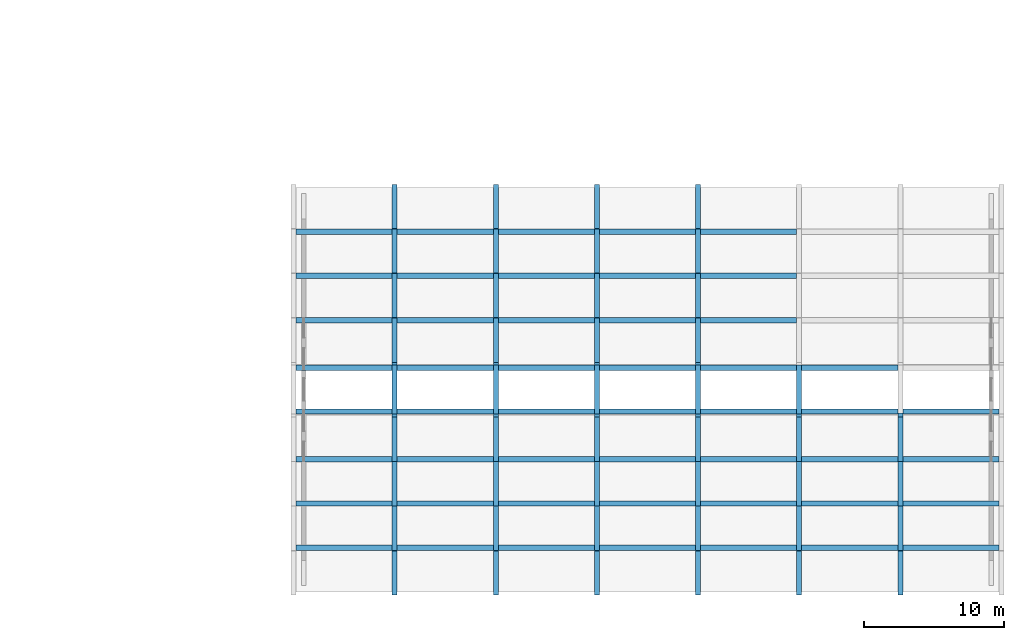
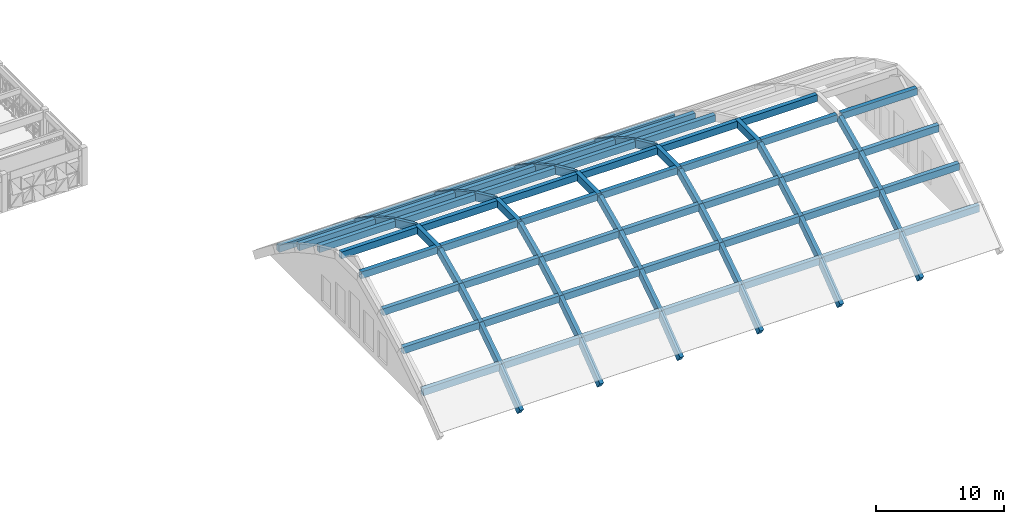
# One storey, part 12 of 48: 94 beams.
"""IFC4 building model written with IfcOpenShell, lengths in metres."""

import ifcopenshell
import ifcopenshell.guid

model = None  # the IFC model being written
_history = None  # IfcOwnerHistory: only IFC2X3 demands one
_inside = {}  # id of a spatial element -> (the spatial element, [elements in it])
_under = {}  # id of a project, library or spatial element -> (it, [spatial elements below it])
_declared = {}  # id of a project -> (the project, [libraries it declares])
_typed = {}  # id of a type object -> (the type object, [elements of that type])
_made_of = {}  # id of a material, layer set ... -> (it, [elements and type objects made of it])


def new_model(schema):
    """Start an empty IFC model of exactly this schema.

    Asked for "IFC4X3", IfcOpenShell would pick the latest addendum, in which some entities
    have other attributes; the version numbers below select the first issue.
    IFC2X3 requires an IfcOwnerHistory on every rooted entity: one is made here for all.
    """
    global model, _history
    if schema == "IFC4X3":
        model = ifcopenshell.file(schema_version=(4, 3, 0, 0))
    else:
        model = ifcopenshell.file(schema=schema)
    _inside.clear()
    _under.clear()
    _declared.clear()
    _typed.clear()
    _made_of.clear()
    _history = None
    if model.schema == "IFC2X3":
        org = make("IfcOrganization", Name="unknown")
        user = make(
            "IfcPersonAndOrganization",
            ThePerson=make("IfcPerson", FamilyName="unknown"),
            TheOrganization=org,
        )
        app = make(
            "IfcApplication",
            ApplicationDeveloper=org,
            Version="unknown",
            ApplicationFullName="unknown",
            ApplicationIdentifier="unknown",
        )
        _history = make(
            "IfcOwnerHistory",
            OwningUser=user,
            OwningApplication=app,
            ChangeAction="ADDED",
            CreationDate=0,
        )
    return model


def make(cls, **values):
    """One entity of the class cls with the attributes given. An attribute that is None is left unset."""
    return model.create_entity(
        cls, **{name: value for name, value in values.items() if value is not None}
    )


def rooted(cls, **values):
    """An entity with a GlobalId (a new one), such as an element, a storey or a relation."""
    return make(cls, GlobalId=ifcopenshell.guid.new(), OwnerHistory=_history, **values)


def si_unit(unit_type, name, prefix=None):
    """IfcSIUnit, for example si_unit("LENGTHUNIT", "METRE", prefix="MILLI")."""
    return make("IfcSIUnit", UnitType=unit_type, Prefix=prefix, Name=name)


def assignment(units):
    """IfcUnitAssignment: the units of a project."""
    return None if units is None else make("IfcUnitAssignment", Units=units)


def point(xyz):
    """IfcCartesianPoint."""
    return None if xyz is None else make("IfcCartesianPoint", Coordinates=xyz)


def direction(xyz):
    """IfcDirection."""
    return None if xyz is None else make("IfcDirection", DirectionRatios=xyz)


def frame(location, z_axis=None, x_axis=None):
    """IfcAxis2Placement3D, a coordinate frame: its origin and axes. An axis left out is left unset."""
    return make(
        "IfcAxis2Placement3D",
        Location=point(location),
        Axis=direction(z_axis),
        RefDirection=direction(x_axis),
    )


def frame_2d(location, x_axis=None):
    """IfcAxis2Placement2D, a coordinate frame in the plane: its origin and x axis."""
    return make(
        "IfcAxis2Placement2D", Location=point(location), RefDirection=direction(x_axis)
    )


def origin():
    """The frame at (0, 0, 0) with its axes left unset."""
    return frame((0.0, 0.0, 0.0))


def origin_2d():
    """The frame at (0, 0) in the plane with its x axis left unset."""
    return frame_2d((0.0, 0.0))


def place(relative_to, where):
    """IfcLocalPlacement: puts the frame where relative to a parent placement (None: the world)."""
    return make(
        "IfcLocalPlacement", PlacementRelTo=relative_to, RelativePlacement=where
    )


def context(
    kind, dimensions, precision=None, world=None, true_north=None, identifier=None
):
    """IfcGeometricRepresentationContext, for example the 3D "Model" context."""
    return make(
        "IfcGeometricRepresentationContext",
        ContextIdentifier=identifier,
        ContextType=kind,
        CoordinateSpaceDimension=dimensions,
        Precision=precision,
        WorldCoordinateSystem=world,
        TrueNorth=true_north,
    )


def subcontext(parent, identifier, kind, view, scale=None):
    """IfcGeometricRepresentationSubContext, for example "Body" below "Model"."""
    return make(
        "IfcGeometricRepresentationSubContext",
        ContextIdentifier=identifier,
        ContextType=kind,
        ParentContext=parent,
        TargetScale=scale,
        TargetView=view,
    )


def project(units=None, contexts=None):
    """IfcProject with its units and contexts."""
    return rooted(
        "IfcProject",
        Name="project",
        RepresentationContexts=contexts,
        UnitsInContext=assignment(units),
    )


def spatial(cls, under=None, at=None, **own):
    """A site, building, storey or space (cls), placed at a placement, below another one or the project."""
    s = rooted(cls, ObjectPlacement=at, **own)
    if under is not None:
        _under.setdefault(under.id(), (under, []))[1].append(s)
    return s


def profile(cls, at=None, kind="AREA", **sizes):
    """A parametric profile (cls). Its sizes go by their IFC names, for example OverallWidth=200.0."""
    return make(cls, ProfileType=kind, Position=at, **sizes)


def rectangle(**sizes):
    """IfcRectangleProfileDef."""
    return profile("IfcRectangleProfileDef", **sizes)


def extrude(swept, where, along, depth):
    """IfcExtrudedAreaSolid: the profile swept, set in the frame where, extruded along a direction by depth."""
    return make(
        "IfcExtrudedAreaSolid",
        SweptArea=swept,
        Position=where,
        ExtrudedDirection=direction(along),
        Depth=depth,
    )


def shape(context_of_items, identifier, shape_type, items):
    """IfcShapeRepresentation: the items that make up one representation, for example the "Body"."""
    return make(
        "IfcShapeRepresentation",
        ContextOfItems=context_of_items,
        RepresentationIdentifier=identifier,
        RepresentationType=shape_type,
        Items=items,
    )


def material(Name=None, Category=None):
    """IfcMaterial."""
    return make("IfcMaterial", Name=Name, Category=Category)


def material_profile(
    of_material, cross_section, Name=None, Category=None, Priority=None
):
    """IfcMaterialProfile: a cross section and its material."""
    return make(
        "IfcMaterialProfile",
        Name=Name,
        Material=of_material,
        Profile=cross_section,
        Priority=Priority,
        Category=Category,
    )


def profile_set(profiles, Name=None, composite=None):
    """IfcMaterialProfileSet."""
    return make(
        "IfcMaterialProfileSet",
        Name=Name,
        MaterialProfiles=profiles,
        CompositeProfile=composite,
    )


def made_of(thing, what):
    """Note that an element or type object is made of a material, layer set ...; save() writes the relation."""
    if what is not None:
        _made_of.setdefault(what.id(), (what, []))[1].append(thing)
    return thing


def type_object(cls, material=None, **own):
    """A type object (cls), such as IfcWallType, which elements share."""
    return made_of(rooted(cls, **own), material)


def element(
    cls,
    number,
    at=None,
    inside=None,
    cuts=None,
    type_object=None,
    material=None,
    context=None,
    identifier="Body",
    shape_type=None,
    held_by="IfcProductDefinitionShape",
    body=None,
    shapes=None,
    **own,
):
    """One element of the class cls, such as IfcWall. Its Tag is "e" and its number.

    at: its placement. inside: the storey or other place that contains it. cuts: it is an
    opening in that element (IfcRelVoidsElement). A single representation is given by context,
    identifier, shape_type and body (its items); several are given by shapes. held_by: the class
    of the entity that holds the representations. save() writes the other relations.
    """
    e = rooted(cls, Tag="e%d" % number, ObjectPlacement=at, **own)
    if body is not None:
        shapes = [shape(context, identifier, shape_type, body)]
    if shapes is not None:
        e.Representation = make(held_by, Representations=shapes)
    if inside is not None:
        _inside.setdefault(inside.id(), (inside, []))[1].append(e)
    if cuts is not None:
        rooted(
            "IfcRelVoidsElement", RelatingBuildingElement=cuts, RelatedOpeningElement=e
        )
    if type_object is not None:
        _typed.setdefault(type_object.id(), (type_object, []))[1].append(e)
    return made_of(e, material)


def aggregate(whole, parts):
    """IfcRelAggregates: a whole, such as a stair, and the parts it consists of."""
    return rooted("IfcRelAggregates", RelatingObject=whole, RelatedObjects=parts)


def save(model, path):
    """Write the relations noted so far, then the file.

    IfcRelAggregates (storeys below a building ...), IfcRelContainedInSpatialStructure (elements
    in a storey), IfcRelDefinesByType, IfcRelAssociatesMaterial and IfcRelDeclares: one each for
    every whole, place, type object, material and project.
    """
    for whole, parts in _under.values():
        aggregate(whole, parts)
    for where, things in _inside.values():
        rooted(
            "IfcRelContainedInSpatialStructure",
            RelatedElements=things,
            RelatingStructure=where,
        )
    for kind, things in _typed.values():
        rooted("IfcRelDefinesByType", RelatedObjects=things, RelatingType=kind)
    for what, things in _made_of.values():
        rooted("IfcRelAssociatesMaterial", RelatedObjects=things, RelatingMaterial=what)
    for by, libraries in _declared.values():
        rooted("IfcRelDeclares", RelatingContext=by, RelatedDefinitions=libraries)
    model.write(path)


model = new_model("IFC4")

# Units and contexts
model_context = context("Model", 3, precision=1e-05, world=origin(), true_north=direction((0.0, 1.0)))
body_context = subcontext(model_context, "Body", "Model", "MODEL_VIEW")
ifc_project = project(units=[si_unit("LENGTHUNIT", "METRE"), si_unit("AREAUNIT", "SQUARE_METRE"), si_unit("VOLUMEUNIT", "CUBIC_METRE"), si_unit("PLANEANGLEUNIT", "RADIAN"), si_unit("MASSUNIT", "GRAM", prefix="KILO")], contexts=[model_context])

# Site, building, storey
site_placement = place(None, origin())
site = spatial("IfcSite", under=ifc_project, at=site_placement, CompositionType="ELEMENT")
building_placement = place(site_placement, origin())
building = spatial("IfcBuilding", under=site, at=building_placement, Name="Alvorim Cloister Faculty of Sciences", CompositionType="ELEMENT")
storey_placement = place(building_placement, frame((0.0, 0.0, 19.35009765625)))
storey = spatial("IfcBuildingStorey", under=building, at=storey_placement, Name="L05", CompositionType="ELEMENT", Elevation=19.35009765625)

# Beams
ifc_material = material(Name="Concrete C40", Category="concrete")
ifc_material_profile_1 = material_profile(ifc_material, rectangle(XDim=0.360107421875, YDim=0.719970703125, at=origin_2d()), Name="RC40-ARCH-360x720")
ifc_profile_set_1 = profile_set([ifc_material_profile_1], Name="Concrete C40")
beam_type_1 = type_object("IfcBeamType", Name="BM-ARCH-360x720", PredefinedType="BEAM", material=ifc_profile_set_1)
beam_1_placement = place(storey_placement, frame((72.0, 0.0, -0.494384765625), z_axis=(0.0, 0.789348923038, 0.613944849069), x_axis=(-1.0, 0.0, 0.0)))
element("IfcBeam", 1, at=beam_1_placement, inside=storey, type_object=beam_type_1, Name="SH-V3 Pointed Arch Rib Chord BM-2393", PredefinedType="BEAM", context=body_context, shape_type="SweptSolid", body=[
    extrude(rectangle(XDim=0.360107421875, YDim=0.719970703125, at=origin_2d()), origin(), (0.0, 0.0, 1.0), 3.990478515625),
])
beam_2_placement = place(storey_placement, frame((72.0, 3.14990234375, 1.95556640625), z_axis=(0.0, 0.836362754786, 0.548176378921), x_axis=(-1.0, 0.0, 0.0)))
element("IfcBeam", 2, at=beam_2_placement, inside=storey, type_object=beam_type_1, Name="SH-V3 Pointed Arch Rib Chord BM-2394", PredefinedType="BEAM", context=body_context, shape_type="SweptSolid", body=[
    extrude(rectangle(XDim=0.360107421875, YDim=0.719970703125, at=origin_2d()), origin(), (0.0, 0.0, 1.0), 3.7666015625),
])
beam_3_placement = place(storey_placement, frame((72.0, 6.300048828125, 4.020263671875), z_axis=(0.0, 0.875903252887, 0.48248677866), x_axis=(-1.0, 0.0, 0.0)))
element("IfcBeam", 3, at=beam_3_placement, inside=storey, type_object=beam_type_1, Name="SH-V3 Pointed Arch Rib Chord BM-2395", PredefinedType="BEAM", context=body_context, shape_type="SweptSolid", body=[
    extrude(rectangle(XDim=0.360107421875, YDim=0.719970703125, at=origin_2d()), origin(), (0.0, 0.0, 1.0), 3.59619140625),
])
for number, where, z_axis, x_axis, name in (
    (4, (72.0, 9.449951171875, 5.75537109375), (0.0, 0.909008111331, 0.416778422587), (-1.0, 0.0, 0.0), "SH-V3 Pointed Arch Rib Chord BM-2396"),
    (5, (72.0, 16.199951171875, 7.19970703125), (0.0, 0.909008111331, -0.416778422587), (-1.0, 0.0, 0.0), "SH-V3 Pointed Arch Rib Chord BM-2397"),
):
    element("IfcBeam", number, at=place(storey_placement, frame(where, z_axis=z_axis, x_axis=x_axis)), inside=storey, type_object=beam_type_1, Name=name, PredefinedType="BEAM", context=body_context, shape_type="SweptSolid", body=[
        extrude(rectangle(XDim=0.360107421875, YDim=0.719970703125, at=origin_2d()), origin(), (0.0, 0.0, 1.0), 3.465576171875),
    ])
beam_4_placement = place(storey_placement, frame((72.0, 19.35009765625, 5.75537109375), z_axis=(0.0, 0.875903252887, -0.48248677866), x_axis=(-1.0, 0.0, 0.0)))
element("IfcBeam", 6, at=beam_4_placement, inside=storey, type_object=beam_type_1, Name="SH-V3 Pointed Arch Rib Chord BM-2398", PredefinedType="BEAM", context=body_context, shape_type="SweptSolid", body=[
    extrude(rectangle(XDim=0.360107421875, YDim=0.719970703125, at=origin_2d()), origin(), (0.0, 0.0, 1.0), 3.59619140625),
])
beam_5_placement = place(storey_placement, frame((72.0, 22.5, 4.020263671875), z_axis=(0.0, 0.83634327519, -0.548206098146), x_axis=(-1.0, 0.0, 0.0)))
element("IfcBeam", 7, at=beam_5_placement, inside=storey, type_object=beam_type_1, Name="SH-V3 Pointed Arch Rib Chord BM-2399", PredefinedType="BEAM", context=body_context, shape_type="SweptSolid", body=[
    extrude(rectangle(XDim=0.360107421875, YDim=0.719970703125, at=origin_2d()), origin(), (0.0, 0.0, 1.0), 3.766357421875),
])
beam_6_placement = place(storey_placement, frame((72.0, 25.64990234375, 1.95556640625), z_axis=(0.0, 0.789371981973, -0.613915201046), x_axis=(-1.0, 0.0, 0.0)))
element("IfcBeam", 8, at=beam_6_placement, inside=storey, type_object=beam_type_1, Name="SH-V3 Pointed Arch Rib Chord BM-2400", PredefinedType="BEAM", context=body_context, shape_type="SweptSolid", body=[
    extrude(rectangle(XDim=0.360107421875, YDim=0.719970703125, at=origin_2d()), origin(), (0.0, 0.0, 1.0), 3.99072265625),
])
beam_7_placement = place(storey_placement, frame((72.0, 12.659912109375, 7.194091796875), z_axis=(0.0, 1.0, 0.0), x_axis=(-1.0, 0.0, 0.0)))
element("IfcBeam", 9, at=beam_7_placement, inside=storey, type_object=beam_type_1, Name="L05 SH-V3 Arch Crown Tie BM-2401", PredefinedType="BEAM", context=body_context, shape_type="SweptSolid", body=[
    extrude(rectangle(XDim=0.360107421875, YDim=0.719970703125, at=origin_2d()), origin(), (0.0, 0.0, 1.0), 3.47998046875),
])
beam_8_placement = place(storey_placement, frame((79.199951171875, 0.0, -0.494384765625), z_axis=(0.0, 0.789348923038, 0.613944849069), x_axis=(-1.0, 0.0, 0.0)))
element("IfcBeam", 10, at=beam_8_placement, inside=storey, type_object=beam_type_1, Name="SH-V3 Pointed Arch Rib Chord BM-2402", PredefinedType="BEAM", context=body_context, shape_type="SweptSolid", body=[
    extrude(rectangle(XDim=0.360107421875, YDim=0.719970703125, at=origin_2d()), origin(), (0.0, 0.0, 1.0), 3.990478515625),
])
beam_9_placement = place(storey_placement, frame((79.199951171875, 3.14990234375, 1.95556640625), z_axis=(0.0, 0.836362754786, 0.548176378921), x_axis=(-1.0, 0.0, 0.0)))
element("IfcBeam", 11, at=beam_9_placement, inside=storey, type_object=beam_type_1, Name="SH-V3 Pointed Arch Rib Chord BM-2403", PredefinedType="BEAM", context=body_context, shape_type="SweptSolid", body=[
    extrude(rectangle(XDim=0.360107421875, YDim=0.719970703125, at=origin_2d()), origin(), (0.0, 0.0, 1.0), 3.7666015625),
])
beam_10_placement = place(storey_placement, frame((79.199951171875, 6.300048828125, 4.020263671875), z_axis=(0.0, 0.875903252887, 0.48248677866), x_axis=(-1.0, 0.0, 0.0)))
element("IfcBeam", 12, at=beam_10_placement, inside=storey, type_object=beam_type_1, Name="SH-V3 Pointed Arch Rib Chord BM-2404", PredefinedType="BEAM", context=body_context, shape_type="SweptSolid", body=[
    extrude(rectangle(XDim=0.360107421875, YDim=0.719970703125, at=origin_2d()), origin(), (0.0, 0.0, 1.0), 3.59619140625),
])
for number, where, z_axis, x_axis, name in (
    (13, (79.199951171875, 9.449951171875, 5.75537109375), (0.0, 0.909008111331, 0.416778422587), (-1.0, 0.0, 0.0), "SH-V3 Pointed Arch Rib Chord BM-2405"),
    (14, (79.199951171875, 16.199951171875, 7.19970703125), (0.0, 0.909008111331, -0.416778422587), (-1.0, 0.0, 0.0), "SH-V3 Pointed Arch Rib Chord BM-2406"),
):
    element("IfcBeam", number, at=place(storey_placement, frame(where, z_axis=z_axis, x_axis=x_axis)), inside=storey, type_object=beam_type_1, Name=name, PredefinedType="BEAM", context=body_context, shape_type="SweptSolid", body=[
        extrude(rectangle(XDim=0.360107421875, YDim=0.719970703125, at=origin_2d()), origin(), (0.0, 0.0, 1.0), 3.465576171875),
    ])
beam_11_placement = place(storey_placement, frame((79.199951171875, 19.35009765625, 5.75537109375), z_axis=(0.0, 0.875903252887, -0.48248677866), x_axis=(-1.0, 0.0, 0.0)))
element("IfcBeam", 15, at=beam_11_placement, inside=storey, type_object=beam_type_1, Name="SH-V3 Pointed Arch Rib Chord BM-2407", PredefinedType="BEAM", context=body_context, shape_type="SweptSolid", body=[
    extrude(rectangle(XDim=0.360107421875, YDim=0.719970703125, at=origin_2d()), origin(), (0.0, 0.0, 1.0), 3.59619140625),
])
beam_12_placement = place(storey_placement, frame((79.199951171875, 22.5, 4.020263671875), z_axis=(0.0, 0.83634327519, -0.548206098146), x_axis=(-1.0, 0.0, 0.0)))
element("IfcBeam", 16, at=beam_12_placement, inside=storey, type_object=beam_type_1, Name="SH-V3 Pointed Arch Rib Chord BM-2408", PredefinedType="BEAM", context=body_context, shape_type="SweptSolid", body=[
    extrude(rectangle(XDim=0.360107421875, YDim=0.719970703125, at=origin_2d()), origin(), (0.0, 0.0, 1.0), 3.766357421875),
])
beam_13_placement = place(storey_placement, frame((79.199951171875, 25.64990234375, 1.95556640625), z_axis=(0.0, 0.789371981973, -0.613915201046), x_axis=(-1.0, 0.0, 0.0)))
element("IfcBeam", 17, at=beam_13_placement, inside=storey, type_object=beam_type_1, Name="SH-V3 Pointed Arch Rib Chord BM-2409", PredefinedType="BEAM", context=body_context, shape_type="SweptSolid", body=[
    extrude(rectangle(XDim=0.360107421875, YDim=0.719970703125, at=origin_2d()), origin(), (0.0, 0.0, 1.0), 3.99072265625),
])
beam_14_placement = place(storey_placement, frame((79.199951171875, 12.659912109375, 7.194091796875), z_axis=(0.0, 1.0, 0.0), x_axis=(-1.0, 0.0, 0.0)))
element("IfcBeam", 18, at=beam_14_placement, inside=storey, type_object=beam_type_1, Name="L05 SH-V3 Arch Crown Tie BM-2410", PredefinedType="BEAM", context=body_context, shape_type="SweptSolid", body=[
    extrude(rectangle(XDim=0.360107421875, YDim=0.719970703125, at=origin_2d()), origin(), (0.0, 0.0, 1.0), 3.47998046875),
])
beam_15_placement = place(storey_placement, frame((86.39990234375, 0.0, -0.494384765625), z_axis=(0.0, 0.789348923038, 0.613944849069), x_axis=(-1.0, 0.0, 0.0)))
element("IfcBeam", 19, at=beam_15_placement, inside=storey, type_object=beam_type_1, Name="SH-V3 Pointed Arch Rib Chord BM-2411", PredefinedType="BEAM", context=body_context, shape_type="SweptSolid", body=[
    extrude(rectangle(XDim=0.360107421875, YDim=0.719970703125, at=origin_2d()), origin(), (0.0, 0.0, 1.0), 3.990478515625),
])
beam_16_placement = place(storey_placement, frame((86.39990234375, 3.14990234375, 1.95556640625), z_axis=(0.0, 0.836362754786, 0.548176378921), x_axis=(-1.0, 0.0, 0.0)))
element("IfcBeam", 20, at=beam_16_placement, inside=storey, type_object=beam_type_1, Name="SH-V3 Pointed Arch Rib Chord BM-2412", PredefinedType="BEAM", context=body_context, shape_type="SweptSolid", body=[
    extrude(rectangle(XDim=0.360107421875, YDim=0.719970703125, at=origin_2d()), origin(), (0.0, 0.0, 1.0), 3.7666015625),
])
beam_17_placement = place(storey_placement, frame((86.39990234375, 6.300048828125, 4.020263671875), z_axis=(0.0, 0.875903252887, 0.48248677866), x_axis=(-1.0, 0.0, 0.0)))
element("IfcBeam", 21, at=beam_17_placement, inside=storey, type_object=beam_type_1, Name="SH-V3 Pointed Arch Rib Chord BM-2413", PredefinedType="BEAM", context=body_context, shape_type="SweptSolid", body=[
    extrude(rectangle(XDim=0.360107421875, YDim=0.719970703125, at=origin_2d()), origin(), (0.0, 0.0, 1.0), 3.59619140625),
])
for number, where, z_axis, x_axis, name in (
    (22, (86.39990234375, 9.449951171875, 5.75537109375), (0.0, 0.909008111331, 0.416778422587), (-1.0, 0.0, 0.0), "SH-V3 Pointed Arch Rib Chord BM-2414"),
    (23, (86.39990234375, 16.199951171875, 7.19970703125), (0.0, 0.909008111331, -0.416778422587), (-1.0, 0.0, 0.0), "SH-V3 Pointed Arch Rib Chord BM-2415"),
):
    element("IfcBeam", number, at=place(storey_placement, frame(where, z_axis=z_axis, x_axis=x_axis)), inside=storey, type_object=beam_type_1, Name=name, PredefinedType="BEAM", context=body_context, shape_type="SweptSolid", body=[
        extrude(rectangle(XDim=0.360107421875, YDim=0.719970703125, at=origin_2d()), origin(), (0.0, 0.0, 1.0), 3.465576171875),
    ])
beam_18_placement = place(storey_placement, frame((86.39990234375, 19.35009765625, 5.75537109375), z_axis=(0.0, 0.875903252887, -0.48248677866), x_axis=(-1.0, 0.0, 0.0)))
element("IfcBeam", 24, at=beam_18_placement, inside=storey, type_object=beam_type_1, Name="SH-V3 Pointed Arch Rib Chord BM-2416", PredefinedType="BEAM", context=body_context, shape_type="SweptSolid", body=[
    extrude(rectangle(XDim=0.360107421875, YDim=0.719970703125, at=origin_2d()), origin(), (0.0, 0.0, 1.0), 3.59619140625),
])
beam_19_placement = place(storey_placement, frame((86.39990234375, 22.5, 4.020263671875), z_axis=(0.0, 0.83634327519, -0.548206098146), x_axis=(-1.0, 0.0, 0.0)))
element("IfcBeam", 25, at=beam_19_placement, inside=storey, type_object=beam_type_1, Name="SH-V3 Pointed Arch Rib Chord BM-2417", PredefinedType="BEAM", context=body_context, shape_type="SweptSolid", body=[
    extrude(rectangle(XDim=0.360107421875, YDim=0.719970703125, at=origin_2d()), origin(), (0.0, 0.0, 1.0), 3.766357421875),
])
beam_20_placement = place(storey_placement, frame((86.39990234375, 25.64990234375, 1.95556640625), z_axis=(0.0, 0.789371981973, -0.613915201046), x_axis=(-1.0, 0.0, 0.0)))
element("IfcBeam", 26, at=beam_20_placement, inside=storey, type_object=beam_type_1, Name="SH-V3 Pointed Arch Rib Chord BM-2418", PredefinedType="BEAM", context=body_context, shape_type="SweptSolid", body=[
    extrude(rectangle(XDim=0.360107421875, YDim=0.719970703125, at=origin_2d()), origin(), (0.0, 0.0, 1.0), 3.99072265625),
])
beam_21_placement = place(storey_placement, frame((86.39990234375, 12.659912109375, 7.194091796875), z_axis=(0.0, 1.0, 0.0), x_axis=(-1.0, 0.0, 0.0)))
element("IfcBeam", 27, at=beam_21_placement, inside=storey, type_object=beam_type_1, Name="L05 SH-V3 Arch Crown Tie BM-2419", PredefinedType="BEAM", context=body_context, shape_type="SweptSolid", body=[
    extrude(rectangle(XDim=0.360107421875, YDim=0.719970703125, at=origin_2d()), origin(), (0.0, 0.0, 1.0), 3.47998046875),
])
beam_22_placement = place(storey_placement, frame((93.60009765625, 0.0, -0.494384765625), z_axis=(0.0, 0.789348923038, 0.613944849069), x_axis=(-1.0, 0.0, 0.0)))
element("IfcBeam", 28, at=beam_22_placement, inside=storey, type_object=beam_type_1, Name="SH-V3 Pointed Arch Rib Chord BM-2420", PredefinedType="BEAM", context=body_context, shape_type="SweptSolid", body=[
    extrude(rectangle(XDim=0.360107421875, YDim=0.719970703125, at=origin_2d()), origin(), (0.0, 0.0, 1.0), 3.990478515625),
])
beam_23_placement = place(storey_placement, frame((93.60009765625, 3.14990234375, 1.95556640625), z_axis=(0.0, 0.836362754786, 0.548176378921), x_axis=(-1.0, 0.0, 0.0)))
element("IfcBeam", 29, at=beam_23_placement, inside=storey, type_object=beam_type_1, Name="SH-V3 Pointed Arch Rib Chord BM-2421", PredefinedType="BEAM", context=body_context, shape_type="SweptSolid", body=[
    extrude(rectangle(XDim=0.360107421875, YDim=0.719970703125, at=origin_2d()), origin(), (0.0, 0.0, 1.0), 3.7666015625),
])
beam_24_placement = place(storey_placement, frame((93.60009765625, 6.300048828125, 4.020263671875), z_axis=(0.0, 0.875903252887, 0.48248677866), x_axis=(-1.0, 0.0, 0.0)))
element("IfcBeam", 30, at=beam_24_placement, inside=storey, type_object=beam_type_1, Name="SH-V3 Pointed Arch Rib Chord BM-2422", PredefinedType="BEAM", context=body_context, shape_type="SweptSolid", body=[
    extrude(rectangle(XDim=0.360107421875, YDim=0.719970703125, at=origin_2d()), origin(), (0.0, 0.0, 1.0), 3.59619140625),
])
for number, where, z_axis, x_axis, name in (
    (31, (93.60009765625, 9.449951171875, 5.75537109375), (0.0, 0.909008111331, 0.416778422587), (-1.0, 0.0, 0.0), "SH-V3 Pointed Arch Rib Chord BM-2423"),
    (32, (93.60009765625, 16.199951171875, 7.19970703125), (0.0, 0.909008111331, -0.416778422587), (-1.0, 0.0, 0.0), "SH-V3 Pointed Arch Rib Chord BM-2424"),
):
    element("IfcBeam", number, at=place(storey_placement, frame(where, z_axis=z_axis, x_axis=x_axis)), inside=storey, type_object=beam_type_1, Name=name, PredefinedType="BEAM", context=body_context, shape_type="SweptSolid", body=[
        extrude(rectangle(XDim=0.360107421875, YDim=0.719970703125, at=origin_2d()), origin(), (0.0, 0.0, 1.0), 3.465576171875),
    ])
beam_25_placement = place(storey_placement, frame((93.60009765625, 19.35009765625, 5.75537109375), z_axis=(0.0, 0.875903252887, -0.48248677866), x_axis=(-1.0, 0.0, 0.0)))
element("IfcBeam", 33, at=beam_25_placement, inside=storey, type_object=beam_type_1, Name="SH-V3 Pointed Arch Rib Chord BM-2425", PredefinedType="BEAM", context=body_context, shape_type="SweptSolid", body=[
    extrude(rectangle(XDim=0.360107421875, YDim=0.719970703125, at=origin_2d()), origin(), (0.0, 0.0, 1.0), 3.59619140625),
])
beam_26_placement = place(storey_placement, frame((93.60009765625, 22.5, 4.020263671875), z_axis=(0.0, 0.83634327519, -0.548206098146), x_axis=(-1.0, 0.0, 0.0)))
element("IfcBeam", 34, at=beam_26_placement, inside=storey, type_object=beam_type_1, Name="SH-V3 Pointed Arch Rib Chord BM-2426", PredefinedType="BEAM", context=body_context, shape_type="SweptSolid", body=[
    extrude(rectangle(XDim=0.360107421875, YDim=0.719970703125, at=origin_2d()), origin(), (0.0, 0.0, 1.0), 3.766357421875),
])
beam_27_placement = place(storey_placement, frame((93.60009765625, 25.64990234375, 1.95556640625), z_axis=(0.0, 0.789371981973, -0.613915201046), x_axis=(-1.0, 0.0, 0.0)))
element("IfcBeam", 35, at=beam_27_placement, inside=storey, type_object=beam_type_1, Name="SH-V3 Pointed Arch Rib Chord BM-2427", PredefinedType="BEAM", context=body_context, shape_type="SweptSolid", body=[
    extrude(rectangle(XDim=0.360107421875, YDim=0.719970703125, at=origin_2d()), origin(), (0.0, 0.0, 1.0), 3.99072265625),
])
beam_28_placement = place(storey_placement, frame((93.60009765625, 12.659912109375, 7.194091796875), z_axis=(0.0, 1.0, 0.0), x_axis=(-1.0, 0.0, 0.0)))
element("IfcBeam", 36, at=beam_28_placement, inside=storey, type_object=beam_type_1, Name="L05 SH-V3 Arch Crown Tie BM-2428", PredefinedType="BEAM", context=body_context, shape_type="SweptSolid", body=[
    extrude(rectangle(XDim=0.360107421875, YDim=0.719970703125, at=origin_2d()), origin(), (0.0, 0.0, 1.0), 3.47998046875),
])
beam_29_placement = place(storey_placement, frame((100.800048828125, 0.0, -0.494384765625), z_axis=(0.0, 0.789348923038, 0.613944849069), x_axis=(-1.0, 0.0, 0.0)))
element("IfcBeam", 37, at=beam_29_placement, inside=storey, type_object=beam_type_1, Name="SH-V3 Pointed Arch Rib Chord BM-2429", PredefinedType="BEAM", context=body_context, shape_type="SweptSolid", body=[
    extrude(rectangle(XDim=0.360107421875, YDim=0.719970703125, at=origin_2d()), origin(), (0.0, 0.0, 1.0), 3.990478515625),
])
beam_30_placement = place(storey_placement, frame((100.800048828125, 3.14990234375, 1.95556640625), z_axis=(0.0, 0.836362754786, 0.548176378921), x_axis=(-1.0, 0.0, 0.0)))
element("IfcBeam", 38, at=beam_30_placement, inside=storey, type_object=beam_type_1, Name="SH-V3 Pointed Arch Rib Chord BM-2430", PredefinedType="BEAM", context=body_context, shape_type="SweptSolid", body=[
    extrude(rectangle(XDim=0.360107421875, YDim=0.719970703125, at=origin_2d()), origin(), (0.0, 0.0, 1.0), 3.7666015625),
])
beam_31_placement = place(storey_placement, frame((100.800048828125, 6.300048828125, 4.020263671875), z_axis=(0.0, 0.875903252887, 0.48248677866), x_axis=(-1.0, 0.0, 0.0)))
element("IfcBeam", 39, at=beam_31_placement, inside=storey, type_object=beam_type_1, Name="SH-V3 Pointed Arch Rib Chord BM-2431", PredefinedType="BEAM", context=body_context, shape_type="SweptSolid", body=[
    extrude(rectangle(XDim=0.360107421875, YDim=0.719970703125, at=origin_2d()), origin(), (0.0, 0.0, 1.0), 3.59619140625),
])
beam_32_placement = place(storey_placement, frame((100.800048828125, 9.449951171875, 5.75537109375), z_axis=(0.0, 0.909008111331, 0.416778422587), x_axis=(-1.0, 0.0, 0.0)))
element("IfcBeam", 40, at=beam_32_placement, inside=storey, type_object=beam_type_1, Name="SH-V3 Pointed Arch Rib Chord BM-2432", PredefinedType="BEAM", context=body_context, shape_type="SweptSolid", body=[
    extrude(rectangle(XDim=0.360107421875, YDim=0.719970703125, at=origin_2d()), origin(), (0.0, 0.0, 1.0), 3.465576171875),
])
beam_33_placement = place(storey_placement, frame((100.800048828125, 12.659912109375, 7.194091796875), z_axis=(0.0, 1.0, 0.0), x_axis=(-1.0, 0.0, 0.0)))
element("IfcBeam", 41, at=beam_33_placement, inside=storey, type_object=beam_type_1, Name="L05 SH-V3 Arch Crown Tie BM-2437", PredefinedType="BEAM", context=body_context, shape_type="SweptSolid", body=[
    extrude(rectangle(XDim=0.360107421875, YDim=0.719970703125, at=origin_2d()), origin(), (0.0, 0.0, 1.0), 3.47998046875),
])
beam_34_placement = place(storey_placement, frame((108.0, 0.0, -0.494384765625), z_axis=(0.0, 0.789348923038, 0.613944849069), x_axis=(-1.0, 0.0, 0.0)))
element("IfcBeam", 42, at=beam_34_placement, inside=storey, type_object=beam_type_1, Name="SH-V3 Pointed Arch Rib Chord BM-2438", PredefinedType="BEAM", context=body_context, shape_type="SweptSolid", body=[
    extrude(rectangle(XDim=0.360107421875, YDim=0.719970703125, at=origin_2d()), origin(), (0.0, 0.0, 1.0), 3.990478515625),
])
beam_35_placement = place(storey_placement, frame((108.0, 3.14990234375, 1.95556640625), z_axis=(0.0, 0.836362754786, 0.548176378921), x_axis=(-1.0, 0.0, 0.0)))
element("IfcBeam", 43, at=beam_35_placement, inside=storey, type_object=beam_type_1, Name="SH-V3 Pointed Arch Rib Chord BM-2439", PredefinedType="BEAM", context=body_context, shape_type="SweptSolid", body=[
    extrude(rectangle(XDim=0.360107421875, YDim=0.719970703125, at=origin_2d()), origin(), (0.0, 0.0, 1.0), 3.7666015625),
])
beam_36_placement = place(storey_placement, frame((108.0, 6.300048828125, 4.020263671875), z_axis=(0.0, 0.875903252887, 0.48248677866), x_axis=(-1.0, 0.0, 0.0)))
element("IfcBeam", 44, at=beam_36_placement, inside=storey, type_object=beam_type_1, Name="SH-V3 Pointed Arch Rib Chord BM-2440", PredefinedType="BEAM", context=body_context, shape_type="SweptSolid", body=[
    extrude(rectangle(XDim=0.360107421875, YDim=0.719970703125, at=origin_2d()), origin(), (0.0, 0.0, 1.0), 3.59619140625),
])
beam_37_placement = place(storey_placement, frame((108.0, 9.449951171875, 5.75537109375), z_axis=(0.0, 0.909008111331, 0.416778422587), x_axis=(-1.0, 0.0, 0.0)))
element("IfcBeam", 45, at=beam_37_placement, inside=storey, type_object=beam_type_1, Name="SH-V3 Pointed Arch Rib Chord BM-2441", PredefinedType="BEAM", context=body_context, shape_type="SweptSolid", body=[
    extrude(rectangle(XDim=0.360107421875, YDim=0.719970703125, at=origin_2d()), origin(), (0.0, 0.0, 1.0), 3.465576171875),
])
ifc_material_profile_2 = material_profile(ifc_material, rectangle(XDim=0.3798828125, YDim=0.64990234375, at=origin_2d()), Name="RC40-BM-380x650")
ifc_profile_set_2 = profile_set([ifc_material_profile_2], Name="Concrete C40")
beam_type_2 = type_object("IfcBeamType", Name="BM-RC-380x650", PredefinedType="BEAM", material=ifc_profile_set_2)
for number, where, z_axis, x_axis, name in (
    (46, (64.97998046875, 3.14990234375, 1.974853515625), (1.0, 0.0, 0.0), (0.0, 1.0, 0.0), "L05 SH-V3 Vault Stringer BM-2456"),
    (47, (72.179931640625, 3.14990234375, 1.974853515625), (1.0, 0.0, 0.0), (0.0, 1.0, 0.0), "L05 SH-V3 Vault Stringer BM-2457"),
    (48, (79.3798828125, 3.14990234375, 1.974853515625), (1.0, 0.0, 0.0), (0.0, 1.0, 0.0), "L05 SH-V3 Vault Stringer BM-2458"),
):
    element("IfcBeam", number, at=place(storey_placement, frame(where, z_axis=z_axis, x_axis=x_axis)), inside=storey, type_object=beam_type_2, Name=name, PredefinedType="BEAM", context=body_context, shape_type="SweptSolid", body=[
        extrude(rectangle(XDim=0.3798828125, YDim=0.64990234375, at=origin_2d()), origin(), (0.0, 0.0, 1.0), 6.840087890625),
    ])
beam_38_placement = place(storey_placement, frame((86.580078125, 3.14990234375, 1.974853515625), z_axis=(1.0, 0.0, 0.0), x_axis=(0.0, 1.0, 0.0)))
element("IfcBeam", 49, at=beam_38_placement, inside=storey, type_object=beam_type_2, Name="L05 SH-V3 Vault Stringer BM-2459", PredefinedType="BEAM", context=body_context, shape_type="SweptSolid", body=[
    extrude(rectangle(XDim=0.3798828125, YDim=0.64990234375, at=origin_2d()), origin(), (0.0, 0.0, 1.0), 6.83984375),
])
for number, where, z_axis, x_axis, name in (
    (50, (93.780029296875, 3.14990234375, 1.974853515625), (1.0, 0.0, 0.0), (0.0, 1.0, 0.0), "L05 SH-V3 Vault Stringer BM-2460"),
    (51, (100.97998046875, 3.14990234375, 1.974853515625), (1.0, 0.0, 0.0), (0.0, 1.0, 0.0), "L05 SH-V3 Vault Stringer BM-2461"),
    (52, (108.179931640625, 3.14990234375, 1.974853515625), (1.0, 0.0, 0.0), (0.0, 1.0, 0.0), "L05 SH-V3 Vault Stringer BM-2462"),
    (53, (64.97998046875, 6.300048828125, 4.03955078125), (1.0, 0.0, 0.0), (0.0, 1.0, 0.0), "L05 SH-V3 Vault Stringer BM-2463"),
    (54, (72.179931640625, 6.300048828125, 4.03955078125), (1.0, 0.0, 0.0), (0.0, 1.0, 0.0), "L05 SH-V3 Vault Stringer BM-2464"),
    (55, (79.3798828125, 6.300048828125, 4.03955078125), (1.0, 0.0, 0.0), (0.0, 1.0, 0.0), "L05 SH-V3 Vault Stringer BM-2465"),
):
    element("IfcBeam", number, at=place(storey_placement, frame(where, z_axis=z_axis, x_axis=x_axis)), inside=storey, type_object=beam_type_2, Name=name, PredefinedType="BEAM", context=body_context, shape_type="SweptSolid", body=[
        extrude(rectangle(XDim=0.3798828125, YDim=0.64990234375, at=origin_2d()), origin(), (0.0, 0.0, 1.0), 6.840087890625),
    ])
beam_39_placement = place(storey_placement, frame((86.580078125, 6.300048828125, 4.03955078125), z_axis=(1.0, 0.0, 0.0), x_axis=(0.0, 1.0, 0.0)))
element("IfcBeam", 56, at=beam_39_placement, inside=storey, type_object=beam_type_2, Name="L05 SH-V3 Vault Stringer BM-2466", PredefinedType="BEAM", context=body_context, shape_type="SweptSolid", body=[
    extrude(rectangle(XDim=0.3798828125, YDim=0.64990234375, at=origin_2d()), origin(), (0.0, 0.0, 1.0), 6.83984375),
])
for number, where, z_axis, x_axis, name in (
    (57, (93.780029296875, 6.300048828125, 4.03955078125), (1.0, 0.0, 0.0), (0.0, 1.0, 0.0), "L05 SH-V3 Vault Stringer BM-2467"),
    (58, (100.97998046875, 6.300048828125, 4.03955078125), (1.0, 0.0, 0.0), (0.0, 1.0, 0.0), "L05 SH-V3 Vault Stringer BM-2468"),
    (59, (108.179931640625, 6.300048828125, 4.03955078125), (1.0, 0.0, 0.0), (0.0, 1.0, 0.0), "L05 SH-V3 Vault Stringer BM-2469"),
    (60, (64.97998046875, 9.449951171875, 5.77490234375), (1.0, 0.0, 0.0), (0.0, 1.0, 0.0), "L05 SH-V3 Vault Stringer BM-2470"),
    (61, (72.179931640625, 9.449951171875, 5.77490234375), (1.0, 0.0, 0.0), (0.0, 1.0, 0.0), "L05 SH-V3 Vault Stringer BM-2471"),
    (62, (79.3798828125, 9.449951171875, 5.77490234375), (1.0, 0.0, 0.0), (0.0, 1.0, 0.0), "L05 SH-V3 Vault Stringer BM-2472"),
):
    element("IfcBeam", number, at=place(storey_placement, frame(where, z_axis=z_axis, x_axis=x_axis)), inside=storey, type_object=beam_type_2, Name=name, PredefinedType="BEAM", context=body_context, shape_type="SweptSolid", body=[
        extrude(rectangle(XDim=0.3798828125, YDim=0.64990234375, at=origin_2d()), origin(), (0.0, 0.0, 1.0), 6.840087890625),
    ])
beam_40_placement = place(storey_placement, frame((86.580078125, 9.449951171875, 5.77490234375), z_axis=(1.0, 0.0, 0.0), x_axis=(0.0, 1.0, 0.0)))
element("IfcBeam", 63, at=beam_40_placement, inside=storey, type_object=beam_type_2, Name="L05 SH-V3 Vault Stringer BM-2473", PredefinedType="BEAM", context=body_context, shape_type="SweptSolid", body=[
    extrude(rectangle(XDim=0.3798828125, YDim=0.64990234375, at=origin_2d()), origin(), (0.0, 0.0, 1.0), 6.83984375),
])
for number, where, z_axis, x_axis, name in (
    (64, (93.780029296875, 9.449951171875, 5.77490234375), (1.0, 0.0, 0.0), (0.0, 1.0, 0.0), "L05 SH-V3 Vault Stringer BM-2474"),
    (65, (100.97998046875, 9.449951171875, 5.77490234375), (1.0, 0.0, 0.0), (0.0, 1.0, 0.0), "L05 SH-V3 Vault Stringer BM-2475"),
    (66, (108.179931640625, 9.449951171875, 5.77490234375), (1.0, 0.0, 0.0), (0.0, 1.0, 0.0), "L05 SH-V3 Vault Stringer BM-2476"),
    (67, (64.97998046875, 19.35009765625, 5.77490234375), (1.0, 0.0, 0.0), (0.0, 1.0, 0.0), "L05 SH-V3 Vault Stringer BM-2477"),
    (68, (72.179931640625, 19.35009765625, 5.77490234375), (1.0, 0.0, 0.0), (0.0, 1.0, 0.0), "L05 SH-V3 Vault Stringer BM-2478"),
    (69, (79.3798828125, 19.35009765625, 5.77490234375), (1.0, 0.0, 0.0), (0.0, 1.0, 0.0), "L05 SH-V3 Vault Stringer BM-2479"),
):
    element("IfcBeam", number, at=place(storey_placement, frame(where, z_axis=z_axis, x_axis=x_axis)), inside=storey, type_object=beam_type_2, Name=name, PredefinedType="BEAM", context=body_context, shape_type="SweptSolid", body=[
        extrude(rectangle(XDim=0.3798828125, YDim=0.64990234375, at=origin_2d()), origin(), (0.0, 0.0, 1.0), 6.840087890625),
    ])
beam_41_placement = place(storey_placement, frame((86.580078125, 19.35009765625, 5.77490234375), z_axis=(1.0, 0.0, 0.0), x_axis=(0.0, 1.0, 0.0)))
element("IfcBeam", 70, at=beam_41_placement, inside=storey, type_object=beam_type_2, Name="L05 SH-V3 Vault Stringer BM-2480", PredefinedType="BEAM", context=body_context, shape_type="SweptSolid", body=[
    extrude(rectangle(XDim=0.3798828125, YDim=0.64990234375, at=origin_2d()), origin(), (0.0, 0.0, 1.0), 6.83984375),
])
for number, where, z_axis, x_axis, name in (
    (71, (93.780029296875, 19.35009765625, 5.77490234375), (1.0, 0.0, 0.0), (0.0, 1.0, 0.0), "L05 SH-V3 Vault Stringer BM-2481"),
    (72, (64.97998046875, 22.5, 4.03955078125), (1.0, 0.0, 0.0), (0.0, 1.0, 0.0), "L05 SH-V3 Vault Stringer BM-2484"),
    (73, (72.179931640625, 22.5, 4.03955078125), (1.0, 0.0, 0.0), (0.0, 1.0, 0.0), "L05 SH-V3 Vault Stringer BM-2485"),
    (74, (79.3798828125, 22.5, 4.03955078125), (1.0, 0.0, 0.0), (0.0, 1.0, 0.0), "L05 SH-V3 Vault Stringer BM-2486"),
):
    element("IfcBeam", number, at=place(storey_placement, frame(where, z_axis=z_axis, x_axis=x_axis)), inside=storey, type_object=beam_type_2, Name=name, PredefinedType="BEAM", context=body_context, shape_type="SweptSolid", body=[
        extrude(rectangle(XDim=0.3798828125, YDim=0.64990234375, at=origin_2d()), origin(), (0.0, 0.0, 1.0), 6.840087890625),
    ])
beam_42_placement = place(storey_placement, frame((86.580078125, 22.5, 4.03955078125), z_axis=(1.0, 0.0, 0.0), x_axis=(0.0, 1.0, 0.0)))
element("IfcBeam", 75, at=beam_42_placement, inside=storey, type_object=beam_type_2, Name="L05 SH-V3 Vault Stringer BM-2487", PredefinedType="BEAM", context=body_context, shape_type="SweptSolid", body=[
    extrude(rectangle(XDim=0.3798828125, YDim=0.64990234375, at=origin_2d()), origin(), (0.0, 0.0, 1.0), 6.83984375),
])
for number, where, z_axis, x_axis, name in (
    (76, (93.780029296875, 22.5, 4.03955078125), (1.0, 0.0, 0.0), (0.0, 1.0, 0.0), "L05 SH-V3 Vault Stringer BM-2488"),
    (77, (64.97998046875, 25.64990234375, 1.974853515625), (1.0, 0.0, 0.0), (0.0, 1.0, 0.0), "L05 SH-V3 Vault Stringer BM-2491"),
    (78, (72.179931640625, 25.64990234375, 1.974853515625), (1.0, 0.0, 0.0), (0.0, 1.0, 0.0), "L05 SH-V3 Vault Stringer BM-2492"),
    (79, (79.3798828125, 25.64990234375, 1.974853515625), (1.0, 0.0, 0.0), (0.0, 1.0, 0.0), "L05 SH-V3 Vault Stringer BM-2493"),
):
    element("IfcBeam", number, at=place(storey_placement, frame(where, z_axis=z_axis, x_axis=x_axis)), inside=storey, type_object=beam_type_2, Name=name, PredefinedType="BEAM", context=body_context, shape_type="SweptSolid", body=[
        extrude(rectangle(XDim=0.3798828125, YDim=0.64990234375, at=origin_2d()), origin(), (0.0, 0.0, 1.0), 6.840087890625),
    ])
beam_43_placement = place(storey_placement, frame((86.580078125, 25.64990234375, 1.974853515625), z_axis=(1.0, 0.0, 0.0), x_axis=(0.0, 1.0, 0.0)))
element("IfcBeam", 80, at=beam_43_placement, inside=storey, type_object=beam_type_2, Name="L05 SH-V3 Vault Stringer BM-2494", PredefinedType="BEAM", context=body_context, shape_type="SweptSolid", body=[
    extrude(rectangle(XDim=0.3798828125, YDim=0.64990234375, at=origin_2d()), origin(), (0.0, 0.0, 1.0), 6.83984375),
])
for number, where, z_axis, x_axis, name in (
    (81, (93.780029296875, 25.64990234375, 1.974853515625), (1.0, 0.0, 0.0), (0.0, 1.0, 0.0), "L05 SH-V3 Vault Stringer BM-2495"),
    (82, (64.97998046875, 12.840087890625, 7.22900390625), (1.0, 0.0, 0.0), (0.0, 1.0, 0.0), "L05 SH-V3 Lantern Curb Beam BM-2498"),
    (83, (72.179931640625, 12.840087890625, 7.22900390625), (1.0, 0.0, 0.0), (0.0, 1.0, 0.0), "L05 SH-V3 Lantern Curb Beam BM-2499"),
    (84, (79.3798828125, 12.840087890625, 7.22900390625), (1.0, 0.0, 0.0), (0.0, 1.0, 0.0), "L05 SH-V3 Lantern Curb Beam BM-2500"),
):
    element("IfcBeam", number, at=place(storey_placement, frame(where, z_axis=z_axis, x_axis=x_axis)), inside=storey, type_object=beam_type_2, Name=name, PredefinedType="BEAM", context=body_context, shape_type="SweptSolid", body=[
        extrude(rectangle(XDim=0.3798828125, YDim=0.64990234375, at=origin_2d()), origin(), (0.0, 0.0, 1.0), 6.840087890625),
    ])
beam_44_placement = place(storey_placement, frame((86.580078125, 12.840087890625, 7.22900390625), z_axis=(1.0, 0.0, 0.0), x_axis=(0.0, 1.0, 0.0)))
element("IfcBeam", 85, at=beam_44_placement, inside=storey, type_object=beam_type_2, Name="L05 SH-V3 Lantern Curb Beam BM-2501", PredefinedType="BEAM", context=body_context, shape_type="SweptSolid", body=[
    extrude(rectangle(XDim=0.3798828125, YDim=0.64990234375, at=origin_2d()), origin(), (0.0, 0.0, 1.0), 6.83984375),
])
for number, where, z_axis, x_axis, name in (
    (86, (93.780029296875, 12.840087890625, 7.22900390625), (1.0, 0.0, 0.0), (0.0, 1.0, 0.0), "L05 SH-V3 Lantern Curb Beam BM-2502"),
    (87, (100.97998046875, 12.840087890625, 7.22900390625), (1.0, 0.0, 0.0), (0.0, 1.0, 0.0), "L05 SH-V3 Lantern Curb Beam BM-2503"),
    (88, (108.179931640625, 12.840087890625, 7.22900390625), (1.0, 0.0, 0.0), (0.0, 1.0, 0.0), "L05 SH-V3 Lantern Curb Beam BM-2504"),
    (89, (64.97998046875, 15.9599609375, 7.22900390625), (1.0, 0.0, 0.0), (0.0, 1.0, 0.0), "L05 SH-V3 Lantern Curb Beam BM-2505"),
    (90, (72.179931640625, 15.9599609375, 7.22900390625), (1.0, 0.0, 0.0), (0.0, 1.0, 0.0), "L05 SH-V3 Lantern Curb Beam BM-2506"),
    (91, (79.3798828125, 15.9599609375, 7.22900390625), (1.0, 0.0, 0.0), (0.0, 1.0, 0.0), "L05 SH-V3 Lantern Curb Beam BM-2507"),
):
    element("IfcBeam", number, at=place(storey_placement, frame(where, z_axis=z_axis, x_axis=x_axis)), inside=storey, type_object=beam_type_2, Name=name, PredefinedType="BEAM", context=body_context, shape_type="SweptSolid", body=[
        extrude(rectangle(XDim=0.3798828125, YDim=0.64990234375, at=origin_2d()), origin(), (0.0, 0.0, 1.0), 6.840087890625),
    ])
beam_45_placement = place(storey_placement, frame((86.580078125, 15.9599609375, 7.22900390625), z_axis=(1.0, 0.0, 0.0), x_axis=(0.0, 1.0, 0.0)))
element("IfcBeam", 92, at=beam_45_placement, inside=storey, type_object=beam_type_2, Name="L05 SH-V3 Lantern Curb Beam BM-2508", PredefinedType="BEAM", context=body_context, shape_type="SweptSolid", body=[
    extrude(rectangle(XDim=0.3798828125, YDim=0.64990234375, at=origin_2d()), origin(), (0.0, 0.0, 1.0), 6.83984375),
])
for number, where, z_axis, x_axis, name in (
    (93, (93.780029296875, 15.9599609375, 7.22900390625), (1.0, 0.0, 0.0), (0.0, 1.0, 0.0), "L05 SH-V3 Lantern Curb Beam BM-2509"),
    (94, (100.97998046875, 15.9599609375, 7.22900390625), (1.0, 0.0, 0.0), (0.0, 1.0, 0.0), "L05 SH-V3 Lantern Curb Beam BM-2510"),
):
    element("IfcBeam", number, at=place(storey_placement, frame(where, z_axis=z_axis, x_axis=x_axis)), inside=storey, type_object=beam_type_2, Name=name, PredefinedType="BEAM", context=body_context, shape_type="SweptSolid", body=[
        extrude(rectangle(XDim=0.3798828125, YDim=0.64990234375, at=origin_2d()), origin(), (0.0, 0.0, 1.0), 6.840087890625),
    ])

save(model, "model.ifc")
